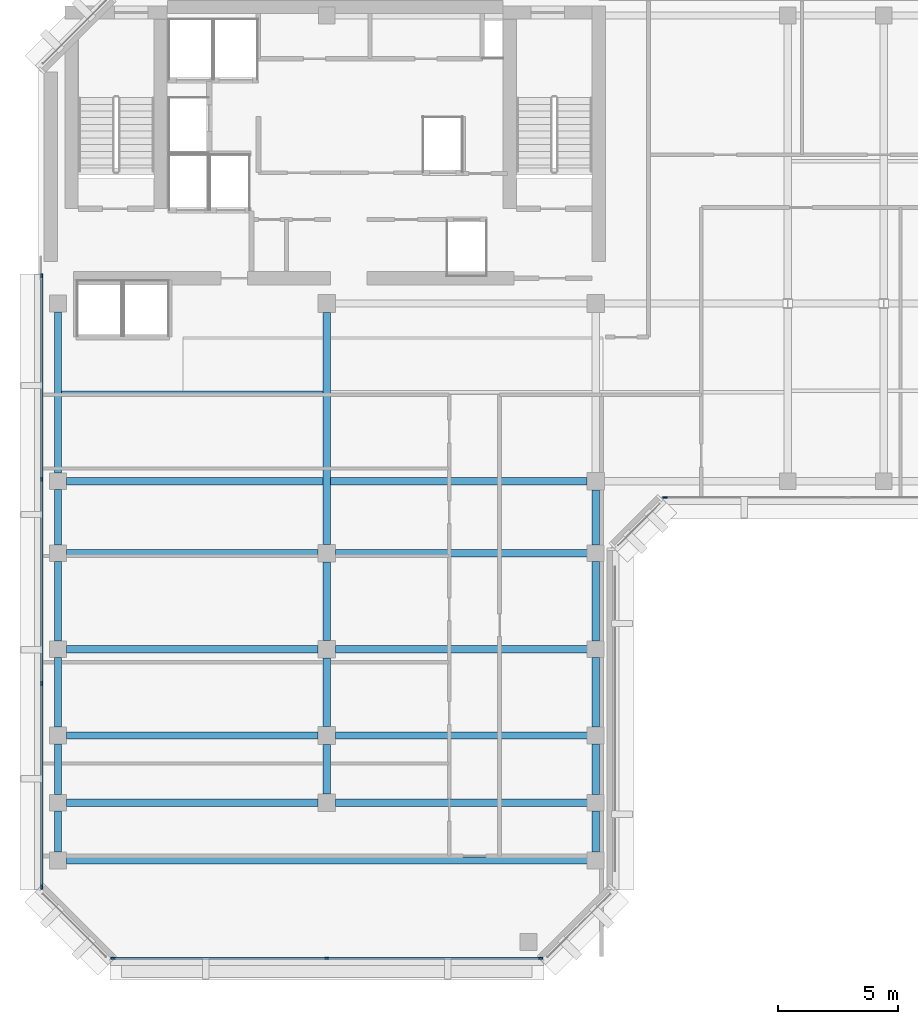
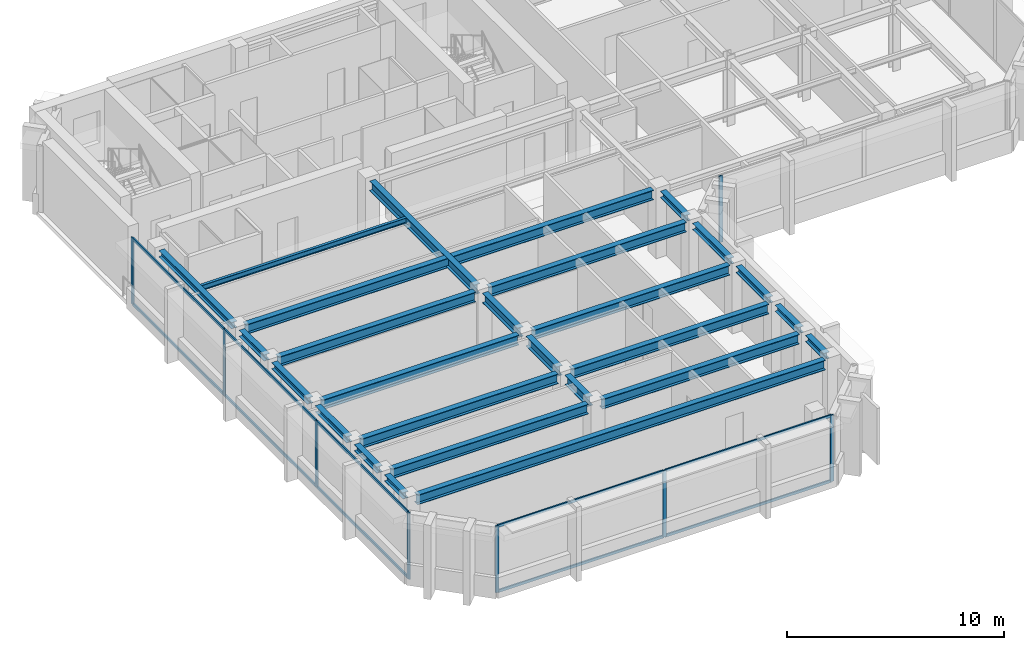
# One storey, part 2 of 11: 26 beams, 18 members, 3 elements without a shape of their own.
"""IFC4 building model written with IfcOpenShell, lengths in metres."""

from ifc_helpers import new_model, si_unit, direction, frame, origin, origin_2d, place, context, subcontext, project, spatial, rectangle, i_section, extrude, material, layer, layer_set, material_profile, profile_set, type_object, element, aggregate, save


model = new_model("IFC4")

# Units and contexts
model_context = context("Model", 3, precision=1e-05, world=origin(), true_north=direction((0.0, 1.0)))
body_context = subcontext(model_context, "Body", "Model", "MODEL_VIEW")
ifc_project = project(units=[si_unit("LENGTHUNIT", "METRE"), si_unit("AREAUNIT", "SQUARE_METRE"), si_unit("VOLUMEUNIT", "CUBIC_METRE"), si_unit("PLANEANGLEUNIT", "RADIAN"), si_unit("MASSUNIT", "GRAM", prefix="KILO")], contexts=[model_context])

# Site, building, storey
site_placement = place(None, origin())
site = spatial("IfcSite", under=ifc_project, at=site_placement, CompositionType="ELEMENT")
building_placement = place(site_placement, origin())
building = spatial("IfcBuilding", under=site, at=building_placement, Name="Kefirva Bronze Tower", CompositionType="ELEMENT")
storey_placement = place(building_placement, frame((0.0, 0.0, 315.81005859375)))
storey = spatial("IfcBuildingStorey", under=building, at=storey_placement, Name="L77", CompositionType="ELEMENT", Elevation=315.81005859375)

# Curtain wall, members
ifc_material_1 = material(Name="Bronze anodised aluminium", Category="aluminium")
ifc_layer = layer(ifc_material_1, 0.179931640625, Name="Bronze anodised aluminium")
ifc_layer_set = layer_set([ifc_layer], Name="Bronze anodised aluminium")
curtain_wall_type = type_object("IfcCurtainWallType", Name="Unitised Bronze Ribbon Curtain Wall Zone 4", PredefinedType="USERDEFINED", material=ifc_layer_set)
curtain_wall_1_placement = place(storey_placement, origin())
curtain_wall_1 = element("IfcCurtainWall", 1, at=curtain_wall_1_placement, inside=storey, type_object=curtain_wall_type, Name="L77 Curtain Wall 1", ObjectType="UNITISED CURTAIN WALL", PredefinedType="USERDEFINED")
ifc_material_profile_1 = material_profile(ifc_material_1, rectangle(XDim=0.074951171875, YDim=0.179931640625, at=origin_2d()), Name="ALU 75x180")
ifc_profile_set_1 = profile_set([ifc_material_profile_1], Name="Bronze anodised aluminium")
member_type_1 = type_object("IfcMemberType", Name="Bronze Mullion 75x180", PredefinedType="MULLION", material=ifc_profile_set_1)
member_1_placement = place(storey_placement, frame((3.092529296875, 5.919921875, 0.0), z_axis=(0.0, 0.0, 1.0), x_axis=(0.0, 1.0, 0.0)))
member_1 = element("IfcMember", 2, at=member_1_placement, type_object=member_type_1, Name="CW-04 mullion 1", PredefinedType="MULLION", context=body_context, shape_type="SweptSolid", body=[
    extrude(rectangle(XDim=0.074951171875, YDim=0.179931640625, at=origin_2d()), origin(), (0.0, 0.0, 1.0), 3.739990234375),
])
member_2_placement = place(storey_placement, frame((12.0, 5.919921875, 0.0), z_axis=(0.0, 0.0, 1.0), x_axis=(0.0, 1.0, 0.0)))
member_2 = element("IfcMember", 3, at=member_2_placement, type_object=member_type_1, Name="CW-04 mullion 2", PredefinedType="MULLION", context=body_context, shape_type="SweptSolid", body=[
    extrude(rectangle(XDim=0.074951171875, YDim=0.179931640625, at=origin_2d()), origin(), (0.0, 0.0, 1.0), 3.739990234375),
])
member_3_placement = place(storey_placement, frame((20.907470703125, 5.919921875, 0.0), z_axis=(0.0, 0.0, 1.0), x_axis=(0.0, 1.0, 0.0)))
member_3 = element("IfcMember", 4, at=member_3_placement, type_object=member_type_1, Name="CW-04 mullion 3", PredefinedType="MULLION", context=body_context, shape_type="SweptSolid", body=[
    extrude(rectangle(XDim=0.074951171875, YDim=0.179931640625, at=origin_2d()), origin(), (0.0, 0.0, 1.0), 3.739990234375),
])

# Curtain wall, member
curtain_wall_2_placement = place(storey_placement, origin())
curtain_wall_2 = element("IfcCurtainWall", 5, at=curtain_wall_2_placement, inside=storey, type_object=curtain_wall_type, Name="L77 Curtain Wall 2", ObjectType="UNITISED CURTAIN WALL", PredefinedType="USERDEFINED")
member_4_placement = place(storey_placement, frame((26.092529296875, 25.1201171875, 0.0), z_axis=(0.0, 0.0, 1.0), x_axis=(0.0, 1.0, 0.0)))
member_4 = element("IfcMember", 6, at=member_4_placement, type_object=member_type_1, Name="CW-04 mullion 1", PredefinedType="MULLION", context=body_context, shape_type="SweptSolid", body=[
    extrude(rectangle(XDim=0.074951171875, YDim=0.179931640625, at=origin_2d()), origin(), (0.0, 0.0, 1.0), 3.739990234375),
])
aggregate(curtain_wall_2, [member_4])

# Curtain wall, members
curtain_wall_3_placement = place(storey_placement, origin())
curtain_wall_3 = element("IfcCurtainWall", 7, at=curtain_wall_3_placement, inside=storey, type_object=curtain_wall_type, Name="L77 Curtain Wall 5", ObjectType="UNITISED CURTAIN WALL", PredefinedType="USERDEFINED")
member_5_placement = place(storey_placement, frame((0.1201171875, 34.357421875, 0.0), z_axis=(0.0, 0.0, 1.0), x_axis=(1.0, 0.0, 0.0)))
member_5 = element("IfcMember", 8, at=member_5_placement, type_object=member_type_1, Name="CW-04 mullion 1", PredefinedType="MULLION", context=body_context, shape_type="SweptSolid", body=[
    extrude(rectangle(XDim=0.074951171875, YDim=0.179931640625, at=origin_2d()), origin(), (0.0, 0.0, 1.0), 3.739990234375),
])
member_6_placement = place(storey_placement, frame((0.1201171875, 25.881591796875, 0.0), z_axis=(0.0, 0.0, 1.0), x_axis=(1.0, 0.0, 0.0)))
member_6 = element("IfcMember", 9, at=member_6_placement, type_object=member_type_1, Name="CW-04 mullion 2", PredefinedType="MULLION", context=body_context, shape_type="SweptSolid", body=[
    extrude(rectangle(XDim=0.074951171875, YDim=0.179931640625, at=origin_2d()), origin(), (0.0, 0.0, 1.0), 3.739990234375),
])
member_7_placement = place(storey_placement, frame((0.1201171875, 17.368408203125, 0.0), z_axis=(0.0, 0.0, 1.0), x_axis=(1.0, 0.0, 0.0)))
member_7 = element("IfcMember", 10, at=member_7_placement, type_object=member_type_1, Name="CW-04 mullion 3", PredefinedType="MULLION", context=body_context, shape_type="SweptSolid", body=[
    extrude(rectangle(XDim=0.074951171875, YDim=0.179931640625, at=origin_2d()), origin(), (0.0, 0.0, 1.0), 3.739990234375),
])
member_8_placement = place(storey_placement, frame((0.1201171875, 8.892578125, 0.0), z_axis=(0.0, 0.0, 1.0), x_axis=(1.0, 0.0, 0.0)))
member_8 = element("IfcMember", 11, at=member_8_placement, type_object=member_type_1, Name="CW-04 mullion 4", PredefinedType="MULLION", context=body_context, shape_type="SweptSolid", body=[
    extrude(rectangle(XDim=0.074951171875, YDim=0.179931640625, at=origin_2d()), origin(), (0.0, 0.0, 1.0), 3.739990234375),
])

# Member
ifc_material_profile_2 = material_profile(ifc_material_1, rectangle(XDim=0.074951171875, YDim=0.14990234375, at=origin_2d()), Name="ALU 75x150")
ifc_profile_set_2 = profile_set([ifc_material_profile_2], Name="Bronze anodised aluminium")
member_type_2 = type_object("IfcMemberType", Name="Bronze Transom 75x150", PredefinedType="USERDEFINED", material=ifc_profile_set_2)
member_9_placement = place(storey_placement, frame((3.1298828125, 5.919921875, 0.037353515625), z_axis=(1.0, 0.0, 0.0), x_axis=(0.0, 1.0, 0.0)))
member_9 = element("IfcMember", 12, at=member_9_placement, type_object=member_type_2, Name="CW-04 transom 1.1", ObjectType="TRANSOM", PredefinedType="USERDEFINED", context=body_context, shape_type="SweptSolid", body=[
    extrude(rectangle(XDim=0.074951171875, YDim=0.14990234375, at=origin_2d()), origin(), (0.0, 0.0, 1.0), 8.83251953125),
])

member_10_placement = place(storey_placement, frame((3.1298828125, 5.919921875, 3.702392578125), z_axis=(1.0, 0.0, 0.0), x_axis=(0.0, 1.0, 0.0)))
member_10 = element("IfcMember", 13, at=member_10_placement, type_object=member_type_2, Name="CW-04 transom 1.2", ObjectType="TRANSOM", PredefinedType="USERDEFINED", context=body_context, shape_type="SweptSolid", body=[
    extrude(rectangle(XDim=0.074951171875, YDim=0.14990234375, at=origin_2d()), origin(), (0.0, 0.0, 1.0), 8.83251953125),
])

member_11_placement = place(storey_placement, frame((12.03759765625, 5.919921875, 0.037353515625), z_axis=(1.0, 0.0, 0.0), x_axis=(0.0, 1.0, 0.0)))
member_11 = element("IfcMember", 14, at=member_11_placement, type_object=member_type_2, Name="CW-04 transom 2.1", ObjectType="TRANSOM", PredefinedType="USERDEFINED", context=body_context, shape_type="SweptSolid", body=[
    extrude(rectangle(XDim=0.074951171875, YDim=0.14990234375, at=origin_2d()), origin(), (0.0, 0.0, 1.0), 8.83251953125),
])

member_12_placement = place(storey_placement, frame((12.03759765625, 5.919921875, 3.702392578125), z_axis=(1.0, 0.0, 0.0), x_axis=(0.0, 1.0, 0.0)))
member_12 = element("IfcMember", 15, at=member_12_placement, type_object=member_type_2, Name="CW-04 transom 2.2", ObjectType="TRANSOM", PredefinedType="USERDEFINED", context=body_context, shape_type="SweptSolid", body=[
    extrude(rectangle(XDim=0.074951171875, YDim=0.14990234375, at=origin_2d()), origin(), (0.0, 0.0, 1.0), 8.83251953125),
])

aggregate(curtain_wall_1, [member_1, member_2, member_3, member_9, member_10, member_11, member_12])

member_13_placement = place(storey_placement, frame((0.1201171875, 34.320068359375, 0.037353515625), z_axis=(0.0, -1.0, 0.0), x_axis=(1.0, 0.0, 0.0)))
member_13 = element("IfcMember", 16, at=member_13_placement, type_object=member_type_2, Name="CW-04 transom 1.1", ObjectType="TRANSOM", PredefinedType="USERDEFINED", context=body_context, shape_type="SweptSolid", body=[
    extrude(rectangle(XDim=0.074951171875, YDim=0.14990234375, at=origin_2d()), origin(), (0.0, 0.0, 1.0), 8.40087890625),
])

member_14_placement = place(storey_placement, frame((0.1201171875, 34.320068359375, 3.702392578125), z_axis=(0.0, -1.0, 0.0), x_axis=(1.0, 0.0, 0.0)))
member_14 = element("IfcMember", 17, at=member_14_placement, type_object=member_type_2, Name="CW-04 transom 1.2", ObjectType="TRANSOM", PredefinedType="USERDEFINED", context=body_context, shape_type="SweptSolid", body=[
    extrude(rectangle(XDim=0.074951171875, YDim=0.14990234375, at=origin_2d()), origin(), (0.0, 0.0, 1.0), 8.40087890625),
])

member_15_placement = place(storey_placement, frame((0.1201171875, 25.84423828125, 0.037353515625), z_axis=(0.0, -1.0, 0.0), x_axis=(1.0, 0.0, 0.0)))
member_15 = element("IfcMember", 18, at=member_15_placement, type_object=member_type_2, Name="CW-04 transom 2.1", ObjectType="TRANSOM", PredefinedType="USERDEFINED", context=body_context, shape_type="SweptSolid", body=[
    extrude(rectangle(XDim=0.074951171875, YDim=0.14990234375, at=origin_2d()), origin(), (0.0, 0.0, 1.0), 8.4384765625),
])

member_16_placement = place(storey_placement, frame((0.1201171875, 25.84423828125, 3.702392578125), z_axis=(0.0, -1.0, 0.0), x_axis=(1.0, 0.0, 0.0)))
member_16 = element("IfcMember", 19, at=member_16_placement, type_object=member_type_2, Name="CW-04 transom 2.2", ObjectType="TRANSOM", PredefinedType="USERDEFINED", context=body_context, shape_type="SweptSolid", body=[
    extrude(rectangle(XDim=0.074951171875, YDim=0.14990234375, at=origin_2d()), origin(), (0.0, 0.0, 1.0), 8.4384765625),
])

member_17_placement = place(storey_placement, frame((0.1201171875, 17.330810546875, 0.037353515625), z_axis=(0.0, -1.0, 0.0), x_axis=(1.0, 0.0, 0.0)))
member_17 = element("IfcMember", 20, at=member_17_placement, type_object=member_type_2, Name="CW-04 transom 3.1", ObjectType="TRANSOM", PredefinedType="USERDEFINED", context=body_context, shape_type="SweptSolid", body=[
    extrude(rectangle(XDim=0.074951171875, YDim=0.14990234375, at=origin_2d()), origin(), (0.0, 0.0, 1.0), 8.40087890625),
])

member_18_placement = place(storey_placement, frame((0.1201171875, 17.330810546875, 3.702392578125), z_axis=(0.0, -1.0, 0.0), x_axis=(1.0, 0.0, 0.0)))
member_18 = element("IfcMember", 21, at=member_18_placement, type_object=member_type_2, Name="CW-04 transom 3.2", ObjectType="TRANSOM", PredefinedType="USERDEFINED", context=body_context, shape_type="SweptSolid", body=[
    extrude(rectangle(XDim=0.074951171875, YDim=0.14990234375, at=origin_2d()), origin(), (0.0, 0.0, 1.0), 8.40087890625),
])

aggregate(curtain_wall_3, [member_5, member_6, member_7, member_8, member_13, member_14, member_15, member_16, member_17, member_18])

# Beams
ifc_material_2 = material(Name="Steel S355", Category="steel")
ifc_material_profile_3 = material_profile(ifc_material_2, i_section(OverallWidth=0.14990234375, OverallDepth=0.300048828125, WebThickness=0.007080078125, FlangeThickness=0.0107421875, at=origin_2d()), Name="IPE 300")
ifc_profile_set_3 = profile_set([ifc_material_profile_3], Name="Steel S355")
beam_type_1 = type_object("IfcBeamType", Name="Steel Floor Joist IPE 300", PredefinedType="JOIST", material=ifc_profile_set_3)
beam_1_placement = place(storey_placement, frame((0.949951171875, 29.489990234375, 3.58984375), z_axis=(1.0, 0.0, 0.0), x_axis=(0.0, 1.0, 0.0)))
element("IfcBeam", 22, at=beam_1_placement, inside=storey, type_object=beam_type_1, Name="L77 JST-L77-0-294", PredefinedType="JOIST", context=body_context, shape_type="SweptSolid", body=[
    extrude(i_section(OverallWidth=0.14990234375, OverallDepth=0.300048828125, WebThickness=0.007080078125, FlangeThickness=0.0107421875, at=origin_2d()), origin(), (0.0, 0.0, 1.0), 10.900146484375),
])
ifc_material_profile_4 = material_profile(ifc_material_2, i_section(OverallWidth=0.300048828125, OverallDepth=0.550048828125, WebThickness=0.014892578125, FlangeThickness=0.029052734375, at=origin_2d()), Name="HEB 550")
ifc_profile_set_4 = profile_set([ifc_material_profile_4], Name="Steel S355")
beam_type_2 = type_object("IfcBeamType", Name="Steel Girder HEB 550", PredefinedType="USERDEFINED", material=ifc_profile_set_4)
beam_2_placement = place(storey_placement, frame((1.14990234375, 10.0, 3.46484375), z_axis=(1.0, 0.0, 0.0), x_axis=(0.0, 1.0, 0.0)))
element("IfcBeam", 23, at=beam_2_placement, inside=storey, type_object=beam_type_2, Name="L77 BM-L77-EW-0-100", ObjectType="GIRDER", PredefinedType="USERDEFINED", context=body_context, shape_type="SweptSolid", body=[
    extrude(i_section(OverallWidth=0.300048828125, OverallDepth=0.550048828125, WebThickness=0.014892578125, FlangeThickness=0.029052734375, at=origin_2d()), origin(), (0.0, 0.0, 1.0), 21.7001953125),
])
for number, where, z_axis, x_axis, name in (
    (24, (1.14990234375, 12.39990234375, 3.46484375), (1.0, 0.0, 0.0), (0.0, 1.0, 0.0), "L77 BM-L77-EW-0-124"),
    (25, (12.3701171875, 12.39990234375, 3.46484375), (1.0, 0.0, 0.0), (0.0, 1.0, 0.0), "L77 BM-L77-EW-12-124"),
    (26, (1.14990234375, 15.199951171875, 3.46484375), (1.0, 0.0, 0.0), (0.0, 1.0, 0.0), "L77 BM-L77-EW-0-152"),
    (27, (12.3701171875, 15.199951171875, 3.46484375), (1.0, 0.0, 0.0), (0.0, 1.0, 0.0), "L77 BM-L77-EW-12-152"),
    (28, (1.14990234375, 18.800048828125, 3.46484375), (1.0, 0.0, 0.0), (0.0, 1.0, 0.0), "L77 BM-L77-EW-0-188"),
    (29, (12.3701171875, 18.800048828125, 3.46484375), (1.0, 0.0, 0.0), (0.0, 1.0, 0.0), "L77 BM-L77-EW-12-188"),
    (30, (1.14990234375, 22.800048828125, 3.46484375), (1.0, 0.0, 0.0), (0.0, 1.0, 0.0), "L77 BM-L77-EW-0-228"),
    (31, (12.3701171875, 22.800048828125, 3.46484375), (1.0, 0.0, 0.0), (0.0, 1.0, 0.0), "L77 BM-L77-EW-12-228"),
):
    element("IfcBeam", number, at=place(storey_placement, frame(where, z_axis=z_axis, x_axis=x_axis)), inside=storey, type_object=beam_type_2, Name=name, ObjectType="GIRDER", PredefinedType="USERDEFINED", context=body_context, shape_type="SweptSolid", body=[
        extrude(i_section(OverallWidth=0.300048828125, OverallDepth=0.550048828125, WebThickness=0.014892578125, FlangeThickness=0.029052734375, at=origin_2d()), origin(), (0.0, 0.0, 1.0), 10.47998046875),
    ])
beam_3_placement = place(storey_placement, frame((1.14990234375, 25.800048828125, 3.46484375), z_axis=(1.0, 0.0, 0.0), x_axis=(0.0, 1.0, 0.0)))
element("IfcBeam", 32, at=beam_3_placement, inside=storey, type_object=beam_type_2, Name="L77 BM-L77-EW-0-258", ObjectType="GIRDER", PredefinedType="USERDEFINED", context=body_context, shape_type="SweptSolid", body=[
    extrude(i_section(OverallWidth=0.300048828125, OverallDepth=0.550048828125, WebThickness=0.014892578125, FlangeThickness=0.029052734375, at=origin_2d()), origin(), (0.0, 0.0, 1.0), 21.68017578125),
])
beam_4_placement = place(storey_placement, frame((12.0, 12.77001953125, 3.46484375), z_axis=(0.0, 1.0, 0.0), x_axis=(-1.0, 0.0, 0.0)))
element("IfcBeam", 33, at=beam_4_placement, inside=storey, type_object=beam_type_2, Name="L77 BM-L77-NS-120-12", ObjectType="GIRDER", PredefinedType="USERDEFINED", context=body_context, shape_type="SweptSolid", body=[
    extrude(i_section(OverallWidth=0.300048828125, OverallDepth=0.550048828125, WebThickness=0.014892578125, FlangeThickness=0.029052734375, at=origin_2d()), origin(), (0.0, 0.0, 1.0), 2.06005859375),
])
beam_5_placement = place(storey_placement, frame((12.0, 15.570068359375, 3.46484375), z_axis=(0.0, 1.0, 0.0), x_axis=(-1.0, 0.0, 0.0)))
element("IfcBeam", 34, at=beam_5_placement, inside=storey, type_object=beam_type_2, Name="L77 BM-L77-NS-120-15", ObjectType="GIRDER", PredefinedType="USERDEFINED", context=body_context, shape_type="SweptSolid", body=[
    extrude(i_section(OverallWidth=0.300048828125, OverallDepth=0.550048828125, WebThickness=0.014892578125, FlangeThickness=0.029052734375, at=origin_2d()), origin(), (0.0, 0.0, 1.0), 2.85986328125),
])
beam_6_placement = place(storey_placement, frame((12.0, 19.169921875, 3.46484375), z_axis=(0.0, 1.0, 0.0), x_axis=(-1.0, 0.0, 0.0)))
element("IfcBeam", 35, at=beam_6_placement, inside=storey, type_object=beam_type_2, Name="L77 BM-L77-NS-120-18", ObjectType="GIRDER", PredefinedType="USERDEFINED", context=body_context, shape_type="SweptSolid", body=[
    extrude(i_section(OverallWidth=0.300048828125, OverallDepth=0.550048828125, WebThickness=0.014892578125, FlangeThickness=0.029052734375, at=origin_2d()), origin(), (0.0, 0.0, 1.0), 3.260009765625),
])
beam_7_placement = place(storey_placement, frame((12.0, 23.169921875, 3.46484375), z_axis=(0.0, 1.0, 0.0), x_axis=(-1.0, 0.0, 0.0)))
element("IfcBeam", 36, at=beam_7_placement, inside=storey, type_object=beam_type_2, Name="L77 BM-L77-NS-120-22", ObjectType="GIRDER", PredefinedType="USERDEFINED", context=body_context, shape_type="SweptSolid", body=[
    extrude(i_section(OverallWidth=0.300048828125, OverallDepth=0.550048828125, WebThickness=0.014892578125, FlangeThickness=0.029052734375, at=origin_2d()), origin(), (0.0, 0.0, 1.0), 9.66015625),
])
ifc_material_profile_5 = material_profile(ifc_material_2, i_section(OverallWidth=0.300048828125, OverallDepth=0.360107421875, WebThickness=0.012451171875, FlangeThickness=0.0224609375, at=origin_2d()), Name="HEB 360")
ifc_profile_set_5 = profile_set([ifc_material_profile_5], Name="Steel S355")
beam_type_3 = type_object("IfcBeamType", Name="Steel Spandrel HEB 360 Ext", PredefinedType="SPANDREL", material=ifc_profile_set_5)
beam_8_placement = place(storey_placement, frame((0.800048828125, 10.35009765625, 3.56005859375), z_axis=(0.0, 1.0, 0.0), x_axis=(-1.0, 0.0, 0.0)))
element("IfcBeam", 37, at=beam_8_placement, inside=storey, type_object=beam_type_3, Name="L77 BM-L77-NS-8-10", PredefinedType="SPANDREL", context=body_context, shape_type="SweptSolid", body=[
    extrude(i_section(OverallWidth=0.300048828125, OverallDepth=0.360107421875, WebThickness=0.012451171875, FlangeThickness=0.0224609375, at=origin_2d()), origin(), (0.0, 0.0, 1.0), 1.699951171875),
])
beam_9_placement = place(storey_placement, frame((0.800048828125, 12.75, 3.56005859375), z_axis=(0.0, 1.0, 0.0), x_axis=(-1.0, 0.0, 0.0)))
element("IfcBeam", 38, at=beam_9_placement, inside=storey, type_object=beam_type_3, Name="L77 BM-L77-NS-8-12", PredefinedType="SPANDREL", context=body_context, shape_type="SweptSolid", body=[
    extrude(i_section(OverallWidth=0.300048828125, OverallDepth=0.360107421875, WebThickness=0.012451171875, FlangeThickness=0.0224609375, at=origin_2d()), origin(), (0.0, 0.0, 1.0), 2.10009765625),
])
beam_10_placement = place(storey_placement, frame((0.800048828125, 15.550048828125, 3.56005859375), z_axis=(0.0, 1.0, 0.0), x_axis=(-1.0, 0.0, 0.0)))
element("IfcBeam", 39, at=beam_10_placement, inside=storey, type_object=beam_type_3, Name="L77 BM-L77-NS-8-15", PredefinedType="SPANDREL", context=body_context, shape_type="SweptSolid", body=[
    extrude(i_section(OverallWidth=0.300048828125, OverallDepth=0.360107421875, WebThickness=0.012451171875, FlangeThickness=0.0224609375, at=origin_2d()), origin(), (0.0, 0.0, 1.0), 2.89990234375),
])
beam_11_placement = place(storey_placement, frame((0.800048828125, 19.14990234375, 3.56005859375), z_axis=(0.0, 1.0, 0.0), x_axis=(-1.0, 0.0, 0.0)))
element("IfcBeam", 40, at=beam_11_placement, inside=storey, type_object=beam_type_3, Name="L77 BM-L77-NS-8-18", PredefinedType="SPANDREL", context=body_context, shape_type="SweptSolid", body=[
    extrude(i_section(OverallWidth=0.300048828125, OverallDepth=0.360107421875, WebThickness=0.012451171875, FlangeThickness=0.0224609375, at=origin_2d()), origin(), (0.0, 0.0, 1.0), 3.300048828125),
])
beam_12_placement = place(storey_placement, frame((0.800048828125, 23.14990234375, 3.56005859375), z_axis=(0.0, 1.0, 0.0), x_axis=(-1.0, 0.0, 0.0)))
element("IfcBeam", 41, at=beam_12_placement, inside=storey, type_object=beam_type_3, Name="L77 BM-L77-NS-8-22", PredefinedType="SPANDREL", context=body_context, shape_type="SweptSolid", body=[
    extrude(i_section(OverallWidth=0.300048828125, OverallDepth=0.360107421875, WebThickness=0.012451171875, FlangeThickness=0.0224609375, at=origin_2d()), origin(), (0.0, 0.0, 1.0), 2.300048828125),
])
beam_13_placement = place(storey_placement, frame((0.800048828125, 26.14990234375, 3.56005859375), z_axis=(0.0, 1.0, 0.0), x_axis=(-1.0, 0.0, 0.0)))
element("IfcBeam", 42, at=beam_13_placement, inside=storey, type_object=beam_type_3, Name="L77 BM-L77-NS-8-25", PredefinedType="SPANDREL", context=body_context, shape_type="SweptSolid", body=[
    extrude(i_section(OverallWidth=0.300048828125, OverallDepth=0.360107421875, WebThickness=0.012451171875, FlangeThickness=0.0224609375, at=origin_2d()), origin(), (0.0, 0.0, 1.0), 6.7001953125),
])
beam_14_placement = place(storey_placement, frame((23.199951171875, 10.35009765625, 3.56005859375), z_axis=(0.0, 1.0, 0.0), x_axis=(-1.0, 0.0, 0.0)))
element("IfcBeam", 43, at=beam_14_placement, inside=storey, type_object=beam_type_3, Name="L77 BM-L77-NS-232-10", PredefinedType="SPANDREL", context=body_context, shape_type="SweptSolid", body=[
    extrude(i_section(OverallWidth=0.300048828125, OverallDepth=0.360107421875, WebThickness=0.012451171875, FlangeThickness=0.0224609375, at=origin_2d()), origin(), (0.0, 0.0, 1.0), 1.699951171875),
])
beam_15_placement = place(storey_placement, frame((23.199951171875, 12.75, 3.56005859375), z_axis=(0.0, 1.0, 0.0), x_axis=(-1.0, 0.0, 0.0)))
element("IfcBeam", 44, at=beam_15_placement, inside=storey, type_object=beam_type_3, Name="L77 BM-L77-NS-232-12", PredefinedType="SPANDREL", context=body_context, shape_type="SweptSolid", body=[
    extrude(i_section(OverallWidth=0.300048828125, OverallDepth=0.360107421875, WebThickness=0.012451171875, FlangeThickness=0.0224609375, at=origin_2d()), origin(), (0.0, 0.0, 1.0), 2.10009765625),
])
beam_16_placement = place(storey_placement, frame((23.199951171875, 15.550048828125, 3.56005859375), z_axis=(0.0, 1.0, 0.0), x_axis=(-1.0, 0.0, 0.0)))
element("IfcBeam", 45, at=beam_16_placement, inside=storey, type_object=beam_type_3, Name="L77 BM-L77-NS-232-15", PredefinedType="SPANDREL", context=body_context, shape_type="SweptSolid", body=[
    extrude(i_section(OverallWidth=0.300048828125, OverallDepth=0.360107421875, WebThickness=0.012451171875, FlangeThickness=0.0224609375, at=origin_2d()), origin(), (0.0, 0.0, 1.0), 2.89990234375),
])
beam_17_placement = place(storey_placement, frame((23.199951171875, 19.14990234375, 3.56005859375), z_axis=(0.0, 1.0, 0.0), x_axis=(-1.0, 0.0, 0.0)))
element("IfcBeam", 46, at=beam_17_placement, inside=storey, type_object=beam_type_3, Name="L77 BM-L77-NS-232-18", PredefinedType="SPANDREL", context=body_context, shape_type="SweptSolid", body=[
    extrude(i_section(OverallWidth=0.300048828125, OverallDepth=0.360107421875, WebThickness=0.012451171875, FlangeThickness=0.0224609375, at=origin_2d()), origin(), (0.0, 0.0, 1.0), 3.300048828125),
])
beam_18_placement = place(storey_placement, frame((23.199951171875, 23.14990234375, 3.56005859375), z_axis=(0.0, 1.0, 0.0), x_axis=(-1.0, 0.0, 0.0)))
element("IfcBeam", 47, at=beam_18_placement, inside=storey, type_object=beam_type_3, Name="L77 BM-L77-NS-232-22", PredefinedType="SPANDREL", context=body_context, shape_type="SweptSolid", body=[
    extrude(i_section(OverallWidth=0.300048828125, OverallDepth=0.360107421875, WebThickness=0.012451171875, FlangeThickness=0.0224609375, at=origin_2d()), origin(), (0.0, 0.0, 1.0), 2.280029296875),
])

save(model, "model.ifc")
